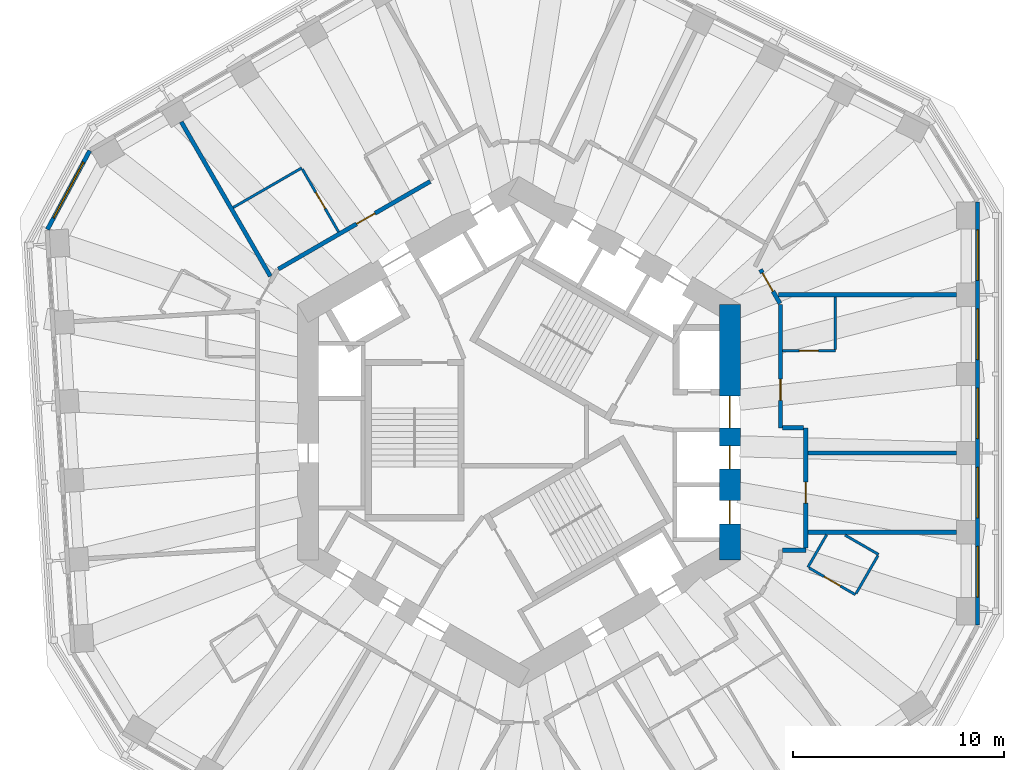
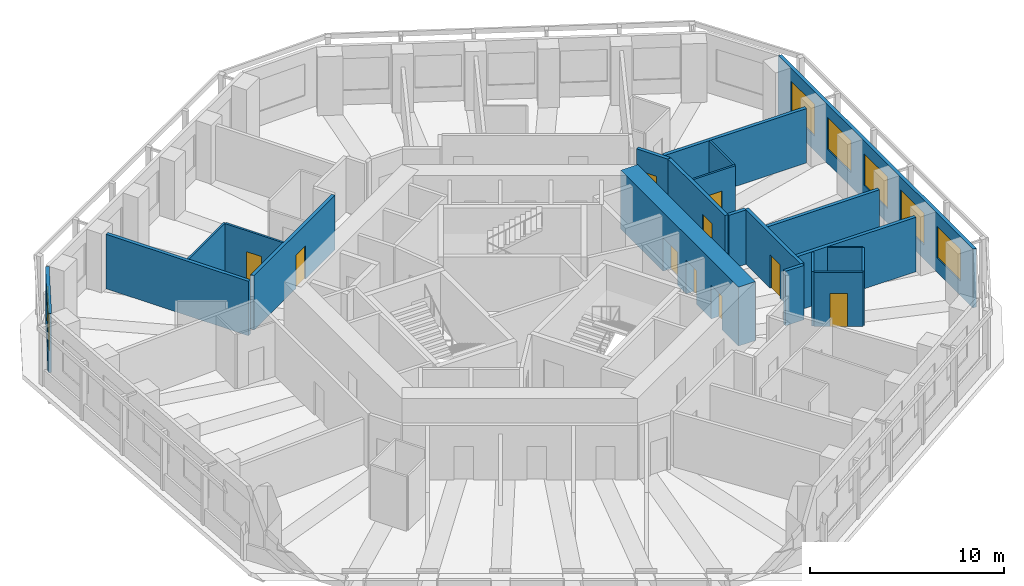
# One storey, part 7 of 12: 21 walls, 10 doors, 6 windows, 16 openings.
"""IFC4 building model written with IfcOpenShell, lengths in metres."""

from ifc_helpers import new_model, si_unit, direction, frame, frame_2d, origin, place, context, subcontext, project, spatial, rectangle, extrude, material, layer, layer_set, type_object, element, fill, save


model = new_model("IFC4")

# Units and contexts
model_context = context("Model", 3, precision=1e-05, world=origin(), true_north=direction((0.0, 1.0)))
body_context = subcontext(model_context, "Body", "Model", "MODEL_VIEW")
ifc_project = project(units=[si_unit("LENGTHUNIT", "METRE"), si_unit("AREAUNIT", "SQUARE_METRE"), si_unit("VOLUMEUNIT", "CUBIC_METRE"), si_unit("PLANEANGLEUNIT", "RADIAN"), si_unit("MASSUNIT", "GRAM", prefix="KILO")], contexts=[model_context])

# Site, building, storey
site_placement = place(None, origin())
site = spatial("IfcSite", under=ifc_project, at=site_placement, CompositionType="ELEMENT")
building_placement = place(site_placement, origin())
building = spatial("IfcBuilding", under=site, at=building_placement, Name="Vanh Sen Convention Tower", CompositionType="ELEMENT")
storey_placement = place(building_placement, frame((0.0, 0.0, 124.39990234375)))
storey = spatial("IfcBuildingStorey", under=building, at=storey_placement, Name="L30", CompositionType="ELEMENT", Elevation=124.39990234375)

# Wall
ifc_material_1 = material(Name="Moisture-resistant gypsum board on steel studs", Category="steel")
ifc_layer_1 = layer(ifc_material_1, 0.1201171875)
ifc_layer_set_1 = layer_set([ifc_layer_1], Name="Moisture-resistant gypsum board on steel studs")
wall_type_1 = type_object("IfcWallType", Name="Bathroom partition 120", PredefinedType="PARTITIONING", material=ifc_layer_set_1)
wall_1_placement = place(storey_placement, frame((-13.555908203125, 10.648681640625, 0.0), z_axis=(0.0, 0.0, 1.0), x_axis=(0.866020939036, 0.500007733091, 0.0)))
element("IfcWall", 1, at=wall_1_placement, inside=storey, type_object=wall_type_1, Name="Bathroom partition 120", PredefinedType="PARTITIONING", context=body_context, shape_type="SweptSolid", body=[
    extrude(rectangle(XDim=3.75341796875, YDim=0.1201171875, at=frame_2d((1.876708984375, 0.0))), origin(), (0.0, 0.0, 1.0), 3.420166015625),
])

# Wall, opening, door
wall_2_placement = place(storey_placement, frame((-10.275390625, 12.473388671875, 0.0), z_axis=(0.0, 0.0, 1.0), x_axis=(0.500009156386, -0.866020117278, 0.0)))
wall_2 = element("IfcWall", 2, at=wall_2_placement, inside=storey, type_object=wall_type_1, Name="Bathroom partition 120", PredefinedType="PARTITIONING", context=body_context, shape_type="SweptSolid", body=[
    extrude(rectangle(XDim=3.43994140625, YDim=0.1201171875, at=frame_2d((1.719970703125, 0.0))), origin(), (0.0, 0.0, 1.0), 3.420166015625),
])
opening_1_placement = place(wall_2_placement, frame((1.27001953125, 0.0, 0.0)))
opening_1 = element("IfcOpeningElement", 3, at=opening_1_placement, cuts=wall_2, Name="Opening D30112", PredefinedType="OPENING", context=body_context, shape_type="SweptSolid", body=[
    extrude(rectangle(XDim=0.89990234375, YDim=2.10009765625, at=frame_2d((0.449951171875, 1.050048828125))), frame((0.0, 0.070068359375, 0.0), z_axis=(0.0, -1.0, 0.0), x_axis=(1.0, 0.0, 0.0)), (0.0, 0.0, 1.0), 0.14013671875),
])
ifc_material_2 = material(Name="Laminate door in steel frame", Category="steel")
door_type_1 = type_object("IfcDoorType", Name="Room internal door 900", OperationType="SINGLE_SWING_LEFT", PredefinedType="DOOR", material=ifc_material_2)
door_1_placement = place(opening_1_placement, origin())
door_1 = element("IfcDoor", 4, at=door_1_placement, inside=storey, type_object=door_type_1, Name="Internal room door D30112", OperationType="SINGLE_SWING_LEFT", OverallHeight=2.10009765625, OverallWidth=0.89990234375, PredefinedType="DOOR", context=body_context, shape_type="SweptSolid", body=[
    extrude(rectangle(XDim=0.89990234375, YDim=2.10009765625, at=frame_2d((0.449951171875, 1.050048828125))), frame((0.0, 0.02490234375, 0.0), z_axis=(0.0, -1.0, 0.0), x_axis=(1.0, 0.0, 0.0)), (0.0, 0.0, 1.0), 0.050048828125),
])
fill(opening_1, door_1)

# Wall
wall_3_placement = place(storey_placement, frame((13.70068359375, -6.4091796875, 0.0), z_axis=(0.0, 0.0, 1.0), x_axis=(0.500078724409, 0.865979947454, 0.0)))
element("IfcWall", 5, at=wall_3_placement, inside=storey, type_object=wall_type_1, Name="Bathroom partition 120", PredefinedType="PARTITIONING", context=body_context, shape_type="SweptSolid", body=[
    extrude(rectangle(XDim=1.779541015625, YDim=0.1201171875, at=frame_2d((0.8896484375, 0.0))), origin(), (0.0, 0.0, 1.0), 3.420166015625),
])

# Wall, opening, door
wall_4_placement = place(storey_placement, frame((15.0, 3.8623046875, 0.0), z_axis=(0.0, 0.0, 1.0), x_axis=(-1.0, 0.0, 0.0)))
wall_4 = element("IfcWall", 6, at=wall_4_placement, inside=storey, type_object=wall_type_1, Name="Bathroom partition 120", PredefinedType="PARTITIONING", context=body_context, shape_type="SweptSolid", body=[
    extrude(rectangle(XDim=2.5, YDim=0.1201171875, at=frame_2d((1.25, 0.0))), origin(), (0.0, 0.0, 1.0), 3.420166015625),
])
opening_2_placement = place(wall_4_placement, frame((0.800048828125, 0.0, 0.0)))
opening_2 = element("IfcOpeningElement", 7, at=opening_2_placement, cuts=wall_4, Name="Opening D30103", PredefinedType="OPENING", context=body_context, shape_type="SweptSolid", body=[
    extrude(rectangle(XDim=0.89990234375, YDim=2.10009765625, at=frame_2d((0.449951171875, 1.050048828125))), frame((0.0, 0.070068359375, 0.0), z_axis=(0.0, -1.0, 0.0), x_axis=(1.0, 0.0, 0.0)), (0.0, 0.0, 1.0), 0.14013671875),
])
door_2_placement = place(opening_2_placement, origin())
door_2 = element("IfcDoor", 8, at=door_2_placement, inside=storey, type_object=door_type_1, Name="Internal room door D30103", OperationType="SINGLE_SWING_LEFT", OverallHeight=2.10009765625, OverallWidth=0.89990234375, PredefinedType="DOOR", context=body_context, shape_type="SweptSolid", body=[
    extrude(rectangle(XDim=0.89990234375, YDim=2.10009765625, at=frame_2d((0.449951171875, 1.050048828125))), frame((0.0, 0.02490234375, 0.0), z_axis=(0.0, -1.0, 0.0), x_axis=(1.0, 0.0, 0.0)), (0.0, 0.0, 1.0), 0.050048828125),
])
fill(opening_2, door_2)

# Walls
wall_5_placement = place(storey_placement, frame((15.0, 6.415283203125, 0.0), z_axis=(0.0, 0.0, 1.0), x_axis=(0.0, -1.0, 0.0)))
element("IfcWall", 9, at=wall_5_placement, inside=storey, type_object=wall_type_1, Name="Bathroom partition 120", PredefinedType="PARTITIONING", context=body_context, shape_type="SweptSolid", body=[
    extrude(rectangle(XDim=2.4931640625, YDim=0.1201171875, at=frame_2d((1.24658203125, 0.0))), origin(), (0.0, 0.0, 1.0), 3.420166015625),
])
wall_6_placement = place(storey_placement, frame((15.46435546875, -4.886962890625, 0.0), z_axis=(0.0, 0.0, 1.0), x_axis=(0.866063652425, -0.499933745558, 0.0)))
element("IfcWall", 10, at=wall_6_placement, inside=storey, type_object=wall_type_1, Name="Bathroom partition 120", PredefinedType="PARTITIONING", context=body_context, shape_type="SweptSolid", body=[
    extrude(rectangle(XDim=1.833740234375, YDim=0.1201171875, at=frame_2d((0.9169921875, 0.0))), origin(), (0.0, 0.0, 1.0), 3.420166015625),
])

# Wall, opening, door
wall_7_placement = place(storey_placement, frame((15.952392578125, -7.708984375, 0.0), z_axis=(0.0, 0.0, 1.0), x_axis=(-0.866063940332, 0.4999332468, 0.0)))
wall_7 = element("IfcWall", 11, at=wall_7_placement, inside=storey, type_object=wall_type_1, Name="Bathroom partition 120", PredefinedType="PARTITIONING", context=body_context, shape_type="SweptSolid", body=[
    extrude(rectangle(XDim=2.539794921875, YDim=0.1201171875, at=frame_2d((1.27001953125, 0.0))), origin(), (0.0, 0.0, 1.0), 3.420166015625),
])
opening_3_placement = place(wall_7_placement, frame((0.820068359375, 0.0, 0.0)))
opening_3 = element("IfcOpeningElement", 12, at=opening_3_placement, cuts=wall_7, Name="Opening D30129", PredefinedType="OPENING", context=body_context, shape_type="SweptSolid", body=[
    extrude(rectangle(XDim=0.89990234375, YDim=2.10009765625, at=frame_2d((0.449951171875, 1.050048828125))), frame((0.0, 0.070068359375, 0.0), z_axis=(0.0, -1.0, 0.0), x_axis=(1.0, 0.0, 0.0)), (0.0, 0.0, 1.0), 0.14013671875),
])
door_3_placement = place(opening_3_placement, origin())
door_3 = element("IfcDoor", 13, at=door_3_placement, inside=storey, type_object=door_type_1, Name="Internal room door D30129", OperationType="SINGLE_SWING_LEFT", OverallHeight=2.10009765625, OverallWidth=0.89990234375, PredefinedType="DOOR", context=body_context, shape_type="SweptSolid", body=[
    extrude(rectangle(XDim=0.89990234375, YDim=2.10009765625, at=frame_2d((0.449951171875, 1.050048828125))), frame((0.0, 0.02490234375, 0.0), z_axis=(0.0, -1.0, 0.0), x_axis=(1.0, 0.0, 0.0)), (0.0, 0.0, 1.0), 0.050048828125),
])
fill(opening_3, door_3)

# Wall
wall_8_placement = place(storey_placement, frame((17.0224609375, -5.855712890625, 0.0), z_axis=(0.0, 0.0, 1.0), x_axis=(-0.500027264788, -0.866009661879, 0.0)))
element("IfcWall", 14, at=wall_8_placement, inside=storey, type_object=wall_type_1, Name="Bathroom partition 120", PredefinedType="PARTITIONING", context=body_context, shape_type="SweptSolid", body=[
    extrude(rectangle(XDim=2.080078125, YDim=0.1201171875, at=frame_2d((1.0400390625, 0.0))), origin(), (0.0, 0.0, 1.0), 3.420166015625),
])

# Wall, openings, doors
ifc_material_3 = material(Name="Concrete C80/95", Category="concrete")
ifc_layer_2 = layer(ifc_material_3, 1.0)
ifc_layer_set_2 = layer_set([ifc_layer_2], Name="Concrete C80/95")
wall_type_2 = type_object("IfcWallType", Name="Core outer wall 1000 C80/95", PredefinedType="SHEAR", material=ifc_layer_set_2)
wall_9_placement = place(storey_placement, frame((10.0, -6.062255859375, 0.0), z_axis=(0.0, 0.0, 1.0), x_axis=(0.0, 1.0, 0.0)))
wall_9 = element("IfcWall", 15, at=wall_9_placement, inside=storey, type_object=wall_type_2, Name="Core wall face E L30", PredefinedType="SHEAR", context=body_context, shape_type="SweptSolid", body=[
    extrude(rectangle(XDim=12.12451171875, YDim=1.0, at=frame_2d((6.062255859375, 0.0))), origin(), (0.0, 0.0, 1.0), 3.7001953125),
])
opening_4_placement = place(wall_9_placement, frame((6.26220703125, 0.0, 0.0)))
opening_4 = element("IfcOpeningElement", 16, at=opening_4_placement, cuts=wall_9, Name="Opening D30001", PredefinedType="OPENING", context=body_context, shape_type="SweptSolid", body=[
    extrude(rectangle(XDim=1.5, YDim=2.10009765625, at=frame_2d((0.75, 1.050048828125))), frame((0.0, 0.510009765625, 0.0), z_axis=(0.0, -1.0, 0.0), x_axis=(1.0, 0.0, 0.0)), (0.0, 0.0, 1.0), 1.02001953125),
])
opening_5_placement = place(wall_9_placement, frame((1.712158203125, 0.0, 0.0)))
opening_5 = element("IfcOpeningElement", 17, at=opening_5_placement, cuts=wall_9, Name="Opening LD-LR1", PredefinedType="OPENING", context=body_context, shape_type="SweptSolid", body=[
    extrude(rectangle(XDim=1.10009765625, YDim=2.10009765625, at=frame_2d((0.550048828125, 1.050048828125))), frame((0.0, 0.510009765625, 0.0), z_axis=(0.0, -1.0, 0.0), x_axis=(1.0, 0.0, 0.0)), (0.0, 0.0, 1.0), 1.02001953125),
])
opening_6_placement = place(wall_9_placement, frame((4.312255859375, 0.0, 0.0)))
opening_6 = element("IfcOpeningElement", 18, at=opening_6_placement, cuts=wall_9, Name="Opening LD-LR2", PredefinedType="OPENING", context=body_context, shape_type="SweptSolid", body=[
    extrude(rectangle(XDim=1.10009765625, YDim=2.10009765625, at=frame_2d((0.550048828125, 1.050048828125))), frame((0.0, 0.510009765625, 0.0), z_axis=(0.0, -1.0, 0.0), x_axis=(1.0, 0.0, 0.0)), (0.0, 0.0, 1.0), 1.02001953125),
])
ifc_material_4 = material(Name="Stainless steel", Category="steel")
door_type_2 = type_object("IfcDoorType", Name="Lift landing door 1100", OperationType="DOUBLE_DOOR_SLIDING", PredefinedType="DOOR", material=ifc_material_4)
door_4_placement = place(opening_5_placement, origin())
door_4 = element("IfcDoor", 19, at=door_4_placement, inside=storey, type_object=door_type_2, Name="Lift LR1 landing door LD-LR1", OperationType="DOUBLE_DOOR_SLIDING", OverallHeight=2.10009765625, OverallWidth=1.10009765625, PredefinedType="DOOR", context=body_context, shape_type="SweptSolid", body=[
    extrude(rectangle(XDim=1.10009765625, YDim=2.10009765625, at=frame_2d((0.550048828125, 1.050048828125))), frame((0.0, 0.02490234375, 0.0), z_axis=(0.0, -1.0, 0.0), x_axis=(1.0, 0.0, 0.0)), (0.0, 0.0, 1.0), 0.050048828125),
])
fill(opening_5, door_4)
door_5_placement = place(opening_6_placement, origin())
door_5 = element("IfcDoor", 20, at=door_5_placement, inside=storey, type_object=door_type_2, Name="Lift LR2 landing door LD-LR2", OperationType="DOUBLE_DOOR_SLIDING", OverallHeight=2.10009765625, OverallWidth=1.10009765625, PredefinedType="DOOR", context=body_context, shape_type="SweptSolid", body=[
    extrude(rectangle(XDim=1.10009765625, YDim=2.10009765625, at=frame_2d((0.550048828125, 1.050048828125))), frame((0.0, 0.02490234375, 0.0), z_axis=(0.0, -1.0, 0.0), x_axis=(1.0, 0.0, 0.0)), (0.0, 0.0, 1.0), 0.050048828125),
])
fill(opening_6, door_5)
ifc_material_5 = material(Name="Steel S355", Category="steel")
door_type_3 = type_object("IfcDoorType", Name="Stair lobby door 1500", OperationType="DOUBLE_DOOR_SINGLE_SWING", PredefinedType="DOOR", material=ifc_material_5)
door_6_placement = place(opening_4_placement, origin())
door_6 = element("IfcDoor", 21, at=door_6_placement, inside=storey, type_object=door_type_3, Name="Stair lobby door D30001", OperationType="DOUBLE_DOOR_SINGLE_SWING", OverallHeight=2.10009765625, OverallWidth=1.5, PredefinedType="DOOR", context=body_context, shape_type="SweptSolid", body=[
    extrude(rectangle(XDim=1.5, YDim=2.10009765625, at=frame_2d((0.75, 1.050048828125))), frame((0.0, 0.02490234375, 0.0), z_axis=(0.0, -1.0, 0.0), x_axis=(1.0, 0.0, 0.0)), (0.0, 0.0, 1.0), 0.050048828125),
])
fill(opening_4, door_6)

# Wall, opening, door
ifc_material_6 = material(Name="Gypsum board on steel studs with mineral wool", Category="steel")
ifc_layer_3 = layer(ifc_material_6, 0.199951171875)
ifc_layer_set_3 = layer_set([ifc_layer_3], Name="Gypsum board on steel studs with mineral wool")
wall_type_3 = type_object("IfcWallType", Name="Corridor partition wall 200", PredefinedType="PARTITIONING", material=ifc_layer_set_3)
wall_10_placement = place(storey_placement, frame((-4.208984375, 11.88818359375, 0.0), z_axis=(0.0, 0.0, 1.0), x_axis=(-0.866020930448, -0.500007747966, 0.0)))
wall_10 = element("IfcWall", 22, at=wall_10_placement, inside=storey, type_object=wall_type_3, Name="Corridor partition wall 200", PredefinedType="PARTITIONING", context=body_context, shape_type="SweptSolid", body=[
    extrude(rectangle(XDim=8.321044921875, YDim=0.199951171875, at=frame_2d((4.16064453125, 0.0))), origin(), (0.0, 0.0, 1.0), 3.420166015625),
])
opening_7_placement = place(wall_10_placement, frame((3.030517578125, 0.0, 0.0)))
opening_7 = element("IfcOpeningElement", 23, at=opening_7_placement, cuts=wall_10, Name="Opening D30110", PredefinedType="OPENING", context=body_context, shape_type="SweptSolid", body=[
    extrude(rectangle(XDim=1.0, YDim=2.10009765625, at=frame_2d((0.5, 1.050048828125))), frame((0.0, 0.10986328125, 0.0), z_axis=(0.0, -1.0, 0.0), x_axis=(1.0, 0.0, 0.0)), (0.0, 0.0, 1.0), 0.219970703125),
])
ifc_material_7 = material(Name="Glazed fire door in steel frame", Category="steel")
door_type_4 = type_object("IfcDoorType", Name="Tenant entrance door 1000", OperationType="SINGLE_SWING_LEFT", PredefinedType="DOOR", material=ifc_material_7)
door_7_placement = place(opening_7_placement, origin())
door_7 = element("IfcDoor", 24, at=door_7_placement, inside=storey, type_object=door_type_4, Name="Tenant suite entrance door D30110", OperationType="SINGLE_SWING_LEFT", OverallHeight=2.10009765625, OverallWidth=1.0, PredefinedType="DOOR", context=body_context, shape_type="SweptSolid", body=[
    extrude(rectangle(XDim=1.0, YDim=2.10009765625, at=frame_2d((0.5, 1.050048828125))), frame((0.0, 0.02490234375, 0.0), z_axis=(0.0, -1.0, 0.0), x_axis=(1.0, 0.0, 0.0)), (0.0, 0.0, 1.0), 0.050048828125),
])
fill(opening_7, door_7)

wall_11_placement = place(storey_placement, frame((12.3798828125, 6.0966796875, 0.0), z_axis=(0.0, 0.0, 1.0), x_axis=(-0.499964847546, 0.866045698112, 0.0)))
wall_11 = element("IfcWall", 25, at=wall_11_placement, inside=storey, type_object=wall_type_3, Name="Corridor partition wall 200", PredefinedType="PARTITIONING", context=body_context, shape_type="SweptSolid", body=[
    extrude(rectangle(XDim=1.860107421875, YDim=0.199951171875, at=frame_2d((0.93017578125, 0.0))), origin(), (0.0, 0.0, 1.0), 3.420166015625),
])
opening_8_placement = place(wall_11_placement, frame((0.671630859375, 0.0, 0.0)))
opening_8 = element("IfcOpeningElement", 26, at=opening_8_placement, cuts=wall_11, Name="Opening D30104", PredefinedType="OPENING", context=body_context, shape_type="SweptSolid", body=[
    extrude(rectangle(XDim=1.0, YDim=2.10009765625, at=frame_2d((0.5, 1.050048828125))), frame((0.0, 0.10986328125, 0.0), z_axis=(0.0, -1.0, 0.0), x_axis=(1.0, 0.0, 0.0)), (0.0, 0.0, 1.0), 0.219970703125),
])
door_8_placement = place(opening_8_placement, origin())
door_8 = element("IfcDoor", 27, at=door_8_placement, inside=storey, type_object=door_type_4, Name="Tenant suite entrance door D30104", OperationType="SINGLE_SWING_LEFT", OverallHeight=2.10009765625, OverallWidth=1.0, PredefinedType="DOOR", context=body_context, shape_type="SweptSolid", body=[
    extrude(rectangle(XDim=1.0, YDim=2.10009765625, at=frame_2d((0.5, 1.050048828125))), frame((0.0, 0.02490234375, 0.0), z_axis=(0.0, -1.0, 0.0), x_axis=(1.0, 0.0, 0.0)), (0.0, 0.0, 1.0), 0.050048828125),
])
fill(opening_8, door_8)

wall_12_placement = place(storey_placement, frame((12.39990234375, 0.200927734375, 0.0), z_axis=(0.0, 0.0, 1.0), x_axis=(0.0, 1.0, 0.0)))
wall_12 = element("IfcWall", 28, at=wall_12_placement, inside=storey, type_object=wall_type_3, Name="Corridor partition wall 200", PredefinedType="PARTITIONING", context=body_context, shape_type="SweptSolid", body=[
    extrude(rectangle(XDim=5.861328125, YDim=0.199951171875, at=frame_2d((2.9306640625, 0.0))), origin(), (0.0, 0.0, 1.0), 3.420166015625),
])
opening_9_placement = place(wall_12_placement, frame((1.3056640625, 0.0, 0.0)))
opening_9 = element("IfcOpeningElement", 29, at=opening_9_placement, cuts=wall_12, Name="Opening D30102", PredefinedType="OPENING", context=body_context, shape_type="SweptSolid", body=[
    extrude(rectangle(XDim=1.0, YDim=2.10009765625, at=frame_2d((0.5, 1.050048828125))), frame((0.0, 0.10986328125, 0.0), z_axis=(0.0, -1.0, 0.0), x_axis=(1.0, 0.0, 0.0)), (0.0, 0.0, 1.0), 0.219970703125),
])
door_9_placement = place(opening_9_placement, origin())
door_9 = element("IfcDoor", 30, at=door_9_placement, inside=storey, type_object=door_type_4, Name="Tenant suite entrance door D30102", OperationType="SINGLE_SWING_LEFT", OverallHeight=2.10009765625, OverallWidth=1.0, PredefinedType="DOOR", context=body_context, shape_type="SweptSolid", body=[
    extrude(rectangle(XDim=1.0, YDim=2.10009765625, at=frame_2d((0.5, 1.050048828125))), frame((0.0, 0.02490234375, 0.0), z_axis=(0.0, -1.0, 0.0), x_axis=(1.0, 0.0, 0.0)), (0.0, 0.0, 1.0), 0.050048828125),
])
fill(opening_9, door_9)

# Walls
wall_13_placement = place(storey_placement, frame((12.5, -5.60107421875, 0.0), z_axis=(0.0, 0.0, 1.0), x_axis=(1.0, 0.0, 0.0)))
element("IfcWall", 31, at=wall_13_placement, inside=storey, type_object=wall_type_3, Name="Corridor partition wall 200", PredefinedType="PARTITIONING", context=body_context, shape_type="SweptSolid", body=[
    extrude(rectangle(XDim=1.10107421875, YDim=0.199951171875, at=frame_2d((0.550537109375, 0.0))), origin(), (0.0, 0.0, 1.0), 3.420166015625),
])
wall_14_placement = place(storey_placement, frame((13.5009765625, 0.200927734375, 0.0), z_axis=(0.0, 0.0, 1.0), x_axis=(-1.0, 0.0, 0.0)))
element("IfcWall", 32, at=wall_14_placement, inside=storey, type_object=wall_type_3, Name="Corridor partition wall 200", PredefinedType="PARTITIONING", context=body_context, shape_type="SweptSolid", body=[
    extrude(rectangle(XDim=1.0009765625, YDim=0.199951171875, at=frame_2d((0.50048828125, 0.0))), origin(), (0.0, 0.0, 1.0), 3.420166015625),
])

# Wall, opening, door
wall_15_placement = place(storey_placement, frame((13.60107421875, -5.5009765625, 0.0), z_axis=(0.0, 0.0, 1.0), x_axis=(0.0, 1.0, 0.0)))
wall_15 = element("IfcWall", 33, at=wall_15_placement, inside=storey, type_object=wall_type_3, Name="Corridor partition wall 200", PredefinedType="PARTITIONING", context=body_context, shape_type="SweptSolid", body=[
    extrude(rectangle(XDim=5.701904296875, YDim=0.199951171875, at=frame_2d((2.85107421875, 0.0))), origin(), (0.0, 0.0, 1.0), 3.420166015625),
])
opening_10_placement = place(wall_15_placement, frame((2.131103515625, 0.0, 0.0)))
opening_10 = element("IfcOpeningElement", 34, at=opening_10_placement, cuts=wall_15, Name="Opening D30101", PredefinedType="OPENING", context=body_context, shape_type="SweptSolid", body=[
    extrude(rectangle(XDim=1.0, YDim=2.10009765625, at=frame_2d((0.5, 1.050048828125))), frame((0.0, 0.10986328125, 0.0), z_axis=(0.0, -1.0, 0.0), x_axis=(1.0, 0.0, 0.0)), (0.0, 0.0, 1.0), 0.219970703125),
])
door_10_placement = place(opening_10_placement, origin())
door_10 = element("IfcDoor", 35, at=door_10_placement, inside=storey, type_object=door_type_4, Name="Tenant suite entrance door D30101", OperationType="SINGLE_SWING_LEFT", OverallHeight=2.10009765625, OverallWidth=1.0, PredefinedType="DOOR", context=body_context, shape_type="SweptSolid", body=[
    extrude(rectangle(XDim=1.0, YDim=2.10009765625, at=frame_2d((0.5, 1.050048828125))), frame((0.0, 0.02490234375, 0.0), z_axis=(0.0, -1.0, 0.0), x_axis=(1.0, 0.0, 0.0)), (0.0, 0.0, 1.0), 0.050048828125),
])
fill(opening_10, door_10)

# Wall, openings, windows
ifc_material_8 = material(Name="Insulated lightweight infill wall")
ifc_layer_4 = layer(ifc_material_8, 0.199951171875)
ifc_layer_set_4 = layer_set([ifc_layer_4], Name="Insulated lightweight infill wall")
wall_type_4 = type_object("IfcWallType", Name="External wall 200", PredefinedType="STANDARD", material=ifc_layer_set_4)
wall_16_placement = place(storey_placement, frame((21.75, -9.138427734375, 0.0), z_axis=(0.0, 0.0, 1.0), x_axis=(0.0, 1.0, 0.0)))
wall_16 = element("IfcWall", 36, at=wall_16_placement, inside=storey, type_object=wall_type_4, Name="External wall E L30", PredefinedType="STANDARD", context=body_context, shape_type="SweptSolid", body=[
    extrude(rectangle(XDim=20.043701171875, YDim=0.199951171875, at=frame_2d((10.02197265625, 0.0))), origin(), (0.0, 0.0, 1.0), 3.7001953125),
])
opening_11_placement = place(wall_16_placement, frame((1.314453125, 0.0, 0.89990234375)))
opening_11 = element("IfcOpeningElement", 37, at=opening_11_placement, cuts=wall_16, Name="Opening WO1-E1", PredefinedType="OPENING", context=body_context, shape_type="SweptSolid", body=[
    extrude(rectangle(XDim=2.39990234375, YDim=2.0, at=frame_2d((1.199951171875, 1.0))), frame((0.0, 0.10986328125, 0.0), z_axis=(0.0, -1.0, 0.0), x_axis=(1.0, 0.0, 0.0)), (0.0, 0.0, 1.0), 0.219970703125),
])
opening_12_placement = place(wall_16_placement, frame((5.068603515625, 0.0, 0.89990234375)))
opening_12 = element("IfcOpeningElement", 38, at=opening_12_placement, cuts=wall_16, Name="Opening WO1-E2", PredefinedType="OPENING", context=body_context, shape_type="SweptSolid", body=[
    extrude(rectangle(XDim=2.39990234375, YDim=2.0, at=frame_2d((1.199951171875, 1.0))), frame((0.0, 0.10986328125, 0.0), z_axis=(0.0, -1.0, 0.0), x_axis=(1.0, 0.0, 0.0)), (0.0, 0.0, 1.0), 0.219970703125),
])
opening_13_placement = place(wall_16_placement, frame((8.82275390625, 0.0, 0.89990234375)))
opening_13 = element("IfcOpeningElement", 39, at=opening_13_placement, cuts=wall_16, Name="Opening WO1-E3", PredefinedType="OPENING", context=body_context, shape_type="SweptSolid", body=[
    extrude(rectangle(XDim=2.39990234375, YDim=2.0, at=frame_2d((1.199951171875, 1.0))), frame((0.0, 0.10986328125, 0.0), z_axis=(0.0, -1.0, 0.0), x_axis=(1.0, 0.0, 0.0)), (0.0, 0.0, 1.0), 0.219970703125),
])
opening_14_placement = place(wall_16_placement, frame((12.576904296875, 0.0, 0.89990234375)))
opening_14 = element("IfcOpeningElement", 40, at=opening_14_placement, cuts=wall_16, Name="Opening WO1-E4", PredefinedType="OPENING", context=body_context, shape_type="SweptSolid", body=[
    extrude(rectangle(XDim=2.39990234375, YDim=2.0, at=frame_2d((1.199951171875, 1.0))), frame((0.0, 0.10986328125, 0.0), z_axis=(0.0, -1.0, 0.0), x_axis=(1.0, 0.0, 0.0)), (0.0, 0.0, 1.0), 0.219970703125),
])
opening_15_placement = place(wall_16_placement, frame((16.330810546875, 0.0, 0.89990234375)))
opening_15 = element("IfcOpeningElement", 41, at=opening_15_placement, cuts=wall_16, Name="Opening WO1-E5", PredefinedType="OPENING", context=body_context, shape_type="SweptSolid", body=[
    extrude(rectangle(XDim=2.39990234375, YDim=2.0, at=frame_2d((1.199951171875, 1.0))), frame((0.0, 0.10986328125, 0.0), z_axis=(0.0, -1.0, 0.0), x_axis=(1.0, 0.0, 0.0)), (0.0, 0.0, 1.0), 0.219970703125),
])
ifc_material_9 = material(Name="Aluminium frame with clear low-emissivity glass", Category="aluminium")
window_type_1 = type_object("IfcWindowType", Name="Office window 2400 x 2000", PartitioningType="SINGLE_PANEL", PredefinedType="WINDOW", material=ifc_material_9)
window_1_placement = place(opening_11_placement, origin())
window_1 = element("IfcWindow", 42, at=window_1_placement, inside=storey, type_object=window_type_1, Name="Window WO1-E1", OverallHeight=2.0, OverallWidth=2.39990234375, PartitioningType="SINGLE_PANEL", PredefinedType="WINDOW", context=body_context, shape_type="SweptSolid", body=[
    extrude(rectangle(XDim=2.39990234375, YDim=2.0, at=frame_2d((1.199951171875, 1.0))), frame((0.0, 0.030029296875, 0.0), z_axis=(0.0, -1.0, 0.0), x_axis=(1.0, 0.0, 0.0)), (0.0, 0.0, 1.0), 0.06005859375),
])
fill(opening_11, window_1)
window_2_placement = place(opening_12_placement, origin())
window_2 = element("IfcWindow", 43, at=window_2_placement, inside=storey, type_object=window_type_1, Name="Window WO1-E2", OverallHeight=2.0, OverallWidth=2.39990234375, PartitioningType="SINGLE_PANEL", PredefinedType="WINDOW", context=body_context, shape_type="SweptSolid", body=[
    extrude(rectangle(XDim=2.39990234375, YDim=2.0, at=frame_2d((1.199951171875, 1.0))), frame((0.0, 0.030029296875, 0.0), z_axis=(0.0, -1.0, 0.0), x_axis=(1.0, 0.0, 0.0)), (0.0, 0.0, 1.0), 0.06005859375),
])
fill(opening_12, window_2)
window_3_placement = place(opening_13_placement, origin())
window_3 = element("IfcWindow", 44, at=window_3_placement, inside=storey, type_object=window_type_1, Name="Window WO1-E3", OverallHeight=2.0, OverallWidth=2.39990234375, PartitioningType="SINGLE_PANEL", PredefinedType="WINDOW", context=body_context, shape_type="SweptSolid", body=[
    extrude(rectangle(XDim=2.39990234375, YDim=2.0, at=frame_2d((1.199951171875, 1.0))), frame((0.0, 0.030029296875, 0.0), z_axis=(0.0, -1.0, 0.0), x_axis=(1.0, 0.0, 0.0)), (0.0, 0.0, 1.0), 0.06005859375),
])
fill(opening_13, window_3)
window_4_placement = place(opening_14_placement, origin())
window_4 = element("IfcWindow", 45, at=window_4_placement, inside=storey, type_object=window_type_1, Name="Window WO1-E4", OverallHeight=2.0, OverallWidth=2.39990234375, PartitioningType="SINGLE_PANEL", PredefinedType="WINDOW", context=body_context, shape_type="SweptSolid", body=[
    extrude(rectangle(XDim=2.39990234375, YDim=2.0, at=frame_2d((1.199951171875, 1.0))), frame((0.0, 0.030029296875, 0.0), z_axis=(0.0, -1.0, 0.0), x_axis=(1.0, 0.0, 0.0)), (0.0, 0.0, 1.0), 0.06005859375),
])
fill(opening_14, window_4)
window_5_placement = place(opening_15_placement, origin())
window_5 = element("IfcWindow", 46, at=window_5_placement, inside=storey, type_object=window_type_1, Name="Window WO1-E5", OverallHeight=2.0, OverallWidth=2.39990234375, PartitioningType="SINGLE_PANEL", PredefinedType="WINDOW", context=body_context, shape_type="SweptSolid", body=[
    extrude(rectangle(XDim=2.39990234375, YDim=2.0, at=frame_2d((1.199951171875, 1.0))), frame((0.0, 0.030029296875, 0.0), z_axis=(0.0, -1.0, 0.0), x_axis=(1.0, 0.0, 0.0)), (0.0, 0.0, 1.0), 0.06005859375),
])
fill(opening_15, window_5)

# Wall, opening, window
wall_17_placement = place(storey_placement, frame((-20.357421875, 13.343994140625, 0.0), z_axis=(0.0, 0.0, 1.0), x_axis=(-0.473288913494, -0.880907262068, 0.0)))
wall_17 = element("IfcWall", 47, at=wall_17_placement, inside=storey, type_object=wall_type_4, Name="External wall CH3 L30", PredefinedType="STANDARD", context=body_context, shape_type="SweptSolid", body=[
    extrude(rectangle(XDim=4.238037109375, YDim=0.199951171875, at=frame_2d((2.119140625, 0.0))), origin(), (0.0, 0.0, 1.0), 3.7001953125),
])
opening_16_placement = place(wall_17_placement, frame((0.619140625, 0.0, 0.89990234375)))
opening_16 = element("IfcOpeningElement", 48, at=opening_16_placement, cuts=wall_17, Name="Opening WO2-CH31", PredefinedType="OPENING", context=body_context, shape_type="SweptSolid", body=[
    extrude(rectangle(XDim=3.0, YDim=2.0, at=frame_2d((1.5, 1.0))), frame((0.0, 0.10986328125, 0.0), z_axis=(0.0, -1.0, 0.0), x_axis=(1.0, 0.0, 0.0)), (0.0, 0.0, 1.0), 0.219970703125),
])
window_type_2 = type_object("IfcWindowType", Name="Office window 3000 x 2000", PartitioningType="SINGLE_PANEL", PredefinedType="WINDOW", material=ifc_material_9)
window_6_placement = place(opening_16_placement, origin())
window_6 = element("IfcWindow", 49, at=window_6_placement, inside=storey, type_object=window_type_2, Name="Window WO2-CH31", OverallHeight=2.0, OverallWidth=3.0, PartitioningType="SINGLE_PANEL", PredefinedType="WINDOW", context=body_context, shape_type="SweptSolid", body=[
    extrude(rectangle(XDim=3.0, YDim=2.0, at=frame_2d((1.5, 1.0))), frame((0.0, 0.030029296875, 0.0), z_axis=(0.0, -1.0, 0.0), x_axis=(1.0, 0.0, 0.0)), (0.0, 0.0, 1.0), 0.06005859375),
])
fill(opening_16, window_6)

# Walls
ifc_layer_5 = layer(ifc_material_6, 0.199951171875)
ifc_layer_set_5 = layer_set([ifc_layer_5], Name="Gypsum board on steel studs with mineral wool")
wall_type_5 = type_object("IfcWallType", Name="Tenant suite wall 200", PredefinedType="PARTITIONING", material=ifc_layer_set_5)
wall_18_placement = place(storey_placement, frame((-16.017578125, 14.71240234375, 0.0), z_axis=(0.0, 0.0, 1.0), x_axis=(0.500000843414, -0.866024916838, 0.0)))
element("IfcWall", 50, at=wall_18_placement, inside=storey, type_object=wall_type_5, Name="Tenant suite wall 200", PredefinedType="PARTITIONING", context=body_context, shape_type="SweptSolid", body=[
    extrude(rectangle(XDim=8.45166015625, YDim=0.199951171875, at=frame_2d((4.225830078125, 0.0))), origin(), (0.0, 0.0, 1.0), 3.420166015625),
])
wall_19_placement = place(storey_placement, frame((13.700927734375, -4.746826171875, 0.0), z_axis=(0.0, 0.0, 1.0), x_axis=(1.0, 0.0, 0.0)))
element("IfcWall", 51, at=wall_19_placement, inside=storey, type_object=wall_type_5, Name="Tenant suite wall 200", PredefinedType="PARTITIONING", context=body_context, shape_type="SweptSolid", body=[
    extrude(rectangle(XDim=7.049072265625, YDim=0.199951171875, at=frame_2d((3.5244140625, 0.0))), origin(), (0.0, 0.0, 1.0), 3.420166015625),
])
wall_20_placement = place(storey_placement, frame((20.75, -0.992919921875, 0.0), z_axis=(0.0, 0.0, 1.0), x_axis=(-1.0, 0.0, 0.0)))
element("IfcWall", 52, at=wall_20_placement, inside=storey, type_object=wall_type_5, Name="Tenant suite wall 200", PredefinedType="PARTITIONING", context=body_context, shape_type="SweptSolid", body=[
    extrude(rectangle(XDim=7.049072265625, YDim=0.199951171875, at=frame_2d((3.5244140625, 0.0))), origin(), (0.0, 0.0, 1.0), 2.8701171875),
])
wall_21_placement = place(storey_placement, frame((20.75, 6.515380859375, 0.0), z_axis=(0.0, 0.0, 1.0), x_axis=(-1.0, 0.0, 0.0)))
element("IfcWall", 53, at=wall_21_placement, inside=storey, type_object=wall_type_5, Name="Tenant suite wall 200", PredefinedType="PARTITIONING", context=body_context, shape_type="SweptSolid", body=[
    extrude(rectangle(XDim=8.45166015625, YDim=0.199951171875, at=frame_2d((4.225830078125, 0.0))), origin(), (0.0, 0.0, 1.0), 3.420166015625),
])

save(model, "model.ifc")
